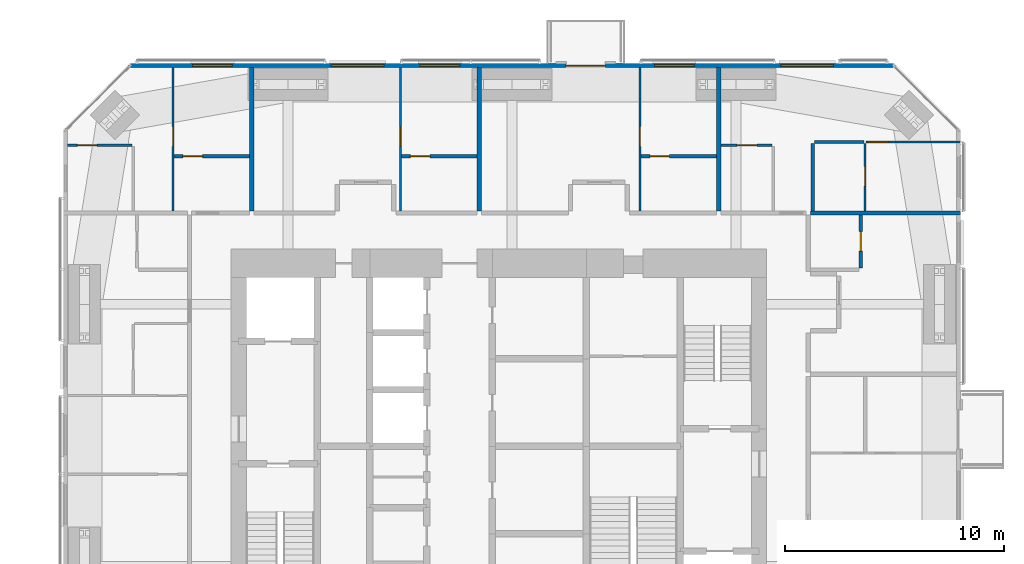
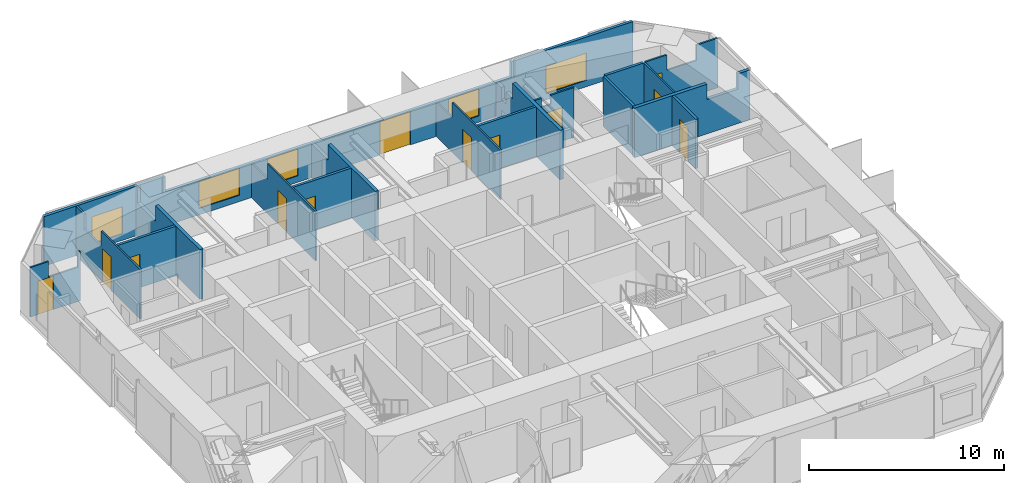
# One storey, part 21 of 23: 18 walls, 12 doors, 5 windows, 17 openings.
"""IFC4 building model written with IfcOpenShell, lengths in metres."""

from ifc_helpers import new_model, si_unit, direction, frame, frame_2d, origin, place, context, subcontext, project, spatial, polyline, rectangle, outline, extrude, material, constituent, constituent_set, type_object, element, fill, save


model = new_model("IFC4")

# Units and contexts
model_context = context("Model", 3, precision=1e-05, world=origin(), true_north=direction((0.0, 1.0)))
body_context = subcontext(model_context, "Body", "Model", "MODEL_VIEW")
ifc_project = project(units=[si_unit("LENGTHUNIT", "METRE"), si_unit("AREAUNIT", "SQUARE_METRE"), si_unit("VOLUMEUNIT", "CUBIC_METRE"), si_unit("PLANEANGLEUNIT", "RADIAN"), si_unit("MASSUNIT", "GRAM", prefix="KILO")], contexts=[model_context])

# Site, building, storey
site_placement = place(None, origin())
site = spatial("IfcSite", under=ifc_project, at=site_placement, CompositionType="ELEMENT")
building_placement = place(site_placement, origin())
building = spatial("IfcBuilding", under=site, at=building_placement, Name="Jalousie Tower", CompositionType="ELEMENT")
storey_placement = place(building_placement, frame((0.0, 0.0, 184.5)))
storey = spatial("IfcBuildingStorey", under=building, at=storey_placement, Name="L50", CompositionType="ELEMENT", Elevation=184.5)

# Wall, opening, door
ifc_material_1 = material(Name="Concrete block ASTM C90", Category="concrete")
ifc_constituent_1 = constituent(ifc_material_1, Name="Body")
ifc_material_2 = material(Name="Render")
ifc_constituent_2 = constituent(ifc_material_2, Name="Finish")
ifc_constituent_set_1 = constituent_set(constituents=[ifc_constituent_1, ifc_constituent_2])
wall_type_1 = type_object("IfcWallType", Name="BATHROOM WALL 150", PredefinedType="PLUMBINGWALL", material=ifc_constituent_set_1)
wall_1_placement = place(storey_placement, frame((17.050048828125, 31.77490234375, 0.0), z_axis=(0.0, 0.0, 1.0), x_axis=(1.0, 0.0, 0.0)))
wall_1 = element("IfcWall", 1, at=wall_1_placement, inside=storey, type_object=wall_type_1, Name="Bathroom Wall 150 L50", PredefinedType="PLUMBINGWALL", context=body_context, shape_type="SweptSolid", body=[
    extrude(rectangle(XDim=3.449951171875, YDim=0.14990234375, at=frame_2d((1.72509765625, 0.0))), origin(), (0.0, 0.0, 1.0), 3.110107421875),
])
opening_1_placement = place(wall_1_placement, frame((0.39990234375, 0.0, 0.0)))
opening_1 = element("IfcOpeningElement", 2, at=opening_1_placement, cuts=wall_1, Name="Opening D3", PredefinedType="OPENING", context=body_context, shape_type="SweptSolid", body=[
    extrude(rectangle(XDim=0.89990234375, YDim=2.10009765625, at=frame_2d((0.449951171875, 1.050048828125))), frame((0.0, 0.0849609375, 0.0), z_axis=(0.0, -1.0, 0.0), x_axis=(1.0, 0.0, 0.0)), (0.0, 0.0, 1.0), 0.169921875),
])
ifc_material_3 = material(Name="Timber door", Category="wood")
door_type_1 = type_object("IfcDoorType", Name="BATHROOM DOOR 900", OperationType="SINGLE_SWING_LEFT", PredefinedType="DOOR", material=ifc_material_3)
door_1_placement = place(opening_1_placement, frame((0.89990234375, 0.0, 0.0), z_axis=(0.0, 0.0, 1.0), x_axis=(-1.0, 0.0, 0.0)))
door_1 = element("IfcDoor", 3, at=door_1_placement, inside=storey, type_object=door_type_1, Name="Apartment 5004 bedroom 1 bathroom door", OperationType="SINGLE_SWING_RIGHT", OverallHeight=2.10009765625, OverallWidth=0.89990234375, PredefinedType="DOOR", context=body_context, shape_type="SweptSolid", body=[
    extrude(rectangle(XDim=0.89990234375, YDim=2.10009765625, at=frame_2d((0.449951171875, 1.050048828125))), frame((0.0, 0.02490234375, 0.0), z_axis=(0.0, -1.0, 0.0), x_axis=(1.0, 0.0, 0.0)), (0.0, 0.0, 1.0), 0.050048828125),
])
fill(opening_1, door_1)

wall_2_placement = place(storey_placement, frame((27.449951171875, 31.77490234375, 0.0), z_axis=(0.0, 0.0, 1.0), x_axis=(1.0, 0.0, 0.0)))
wall_2 = element("IfcWall", 4, at=wall_2_placement, inside=storey, type_object=wall_type_1, Name="Bathroom Wall 150 L50", PredefinedType="PLUMBINGWALL", context=body_context, shape_type="SweptSolid", body=[
    extrude(rectangle(XDim=3.449951171875, YDim=0.14990234375, at=frame_2d((1.72509765625, 0.0))), origin(), (0.0, 0.0, 1.0), 3.110107421875),
])
opening_2_placement = place(wall_2_placement, frame((0.39990234375, 0.0, 0.0)))
opening_2 = element("IfcOpeningElement", 5, at=opening_2_placement, cuts=wall_2, Name="Opening D3", PredefinedType="OPENING", context=body_context, shape_type="SweptSolid", body=[
    extrude(rectangle(XDim=0.89990234375, YDim=2.10009765625, at=frame_2d((0.449951171875, 1.050048828125))), frame((0.0, 0.0849609375, 0.0), z_axis=(0.0, -1.0, 0.0), x_axis=(1.0, 0.0, 0.0)), (0.0, 0.0, 1.0), 0.169921875),
])
door_2_placement = place(opening_2_placement, frame((0.89990234375, 0.0, 0.0), z_axis=(0.0, 0.0, 1.0), x_axis=(-1.0, 0.0, 0.0)))
door_2 = element("IfcDoor", 6, at=door_2_placement, inside=storey, type_object=door_type_1, Name="Apartment 5005 bedroom 1 bathroom door", OperationType="SINGLE_SWING_RIGHT", OverallHeight=2.10009765625, OverallWidth=0.89990234375, PredefinedType="DOOR", context=body_context, shape_type="SweptSolid", body=[
    extrude(rectangle(XDim=0.89990234375, YDim=2.10009765625, at=frame_2d((0.449951171875, 1.050048828125))), frame((0.0, 0.02490234375, 0.0), z_axis=(0.0, -1.0, 0.0), x_axis=(1.0, 0.0, 0.0)), (0.0, 0.0, 1.0), 0.050048828125),
])
fill(opening_2, door_2)

wall_3_placement = place(storey_placement, frame((38.39990234375, 31.77490234375, 0.0), z_axis=(0.0, 0.0, 1.0), x_axis=(1.0, 0.0, 0.0)))
wall_3 = element("IfcWall", 7, at=wall_3_placement, inside=storey, type_object=wall_type_1, Name="Bathroom Wall 150 L50", PredefinedType="PLUMBINGWALL", context=body_context, shape_type="SweptSolid", body=[
    extrude(rectangle(XDim=3.4501953125, YDim=0.14990234375, at=frame_2d((1.72509765625, 0.0))), origin(), (0.0, 0.0, 1.0), 3.110107421875),
])
opening_3_placement = place(wall_3_placement, frame((0.39990234375, 0.0, 0.0)))
opening_3 = element("IfcOpeningElement", 8, at=opening_3_placement, cuts=wall_3, Name="Opening D3", PredefinedType="OPENING", context=body_context, shape_type="SweptSolid", body=[
    extrude(rectangle(XDim=0.89990234375, YDim=2.10009765625, at=frame_2d((0.449951171875, 1.050048828125))), frame((0.0, 0.0849609375, 0.0), z_axis=(0.0, -1.0, 0.0), x_axis=(1.0, 0.0, 0.0)), (0.0, 0.0, 1.0), 0.169921875),
])
door_3_placement = place(opening_3_placement, frame((0.89990234375, 0.0, 0.0), z_axis=(0.0, 0.0, 1.0), x_axis=(-1.0, 0.0, 0.0)))
door_3 = element("IfcDoor", 9, at=door_3_placement, inside=storey, type_object=door_type_1, Name="Apartment 5006 bedroom 1 bathroom door", OperationType="SINGLE_SWING_RIGHT", OverallHeight=2.10009765625, OverallWidth=0.89990234375, PredefinedType="DOOR", context=body_context, shape_type="SweptSolid", body=[
    extrude(rectangle(XDim=0.89990234375, YDim=2.10009765625, at=frame_2d((0.449951171875, 1.050048828125))), frame((0.0, 0.02490234375, 0.0), z_axis=(0.0, -1.0, 0.0), x_axis=(1.0, 0.0, 0.0)), (0.0, 0.0, 1.0), 0.050048828125),
])
fill(opening_3, door_3)

# Walls
wall_4_placement = place(storey_placement, frame((46.324951171875, 32.420166015625, 0.0), z_axis=(0.0, 0.0, 1.0), x_axis=(1.0, 0.0, 0.0)))
element("IfcWall", 10, at=wall_4_placement, inside=storey, type_object=wall_type_1, Name="Bathroom Wall 150 L50", PredefinedType="PLUMBINGWALL", context=body_context, shape_type="SweptSolid", body=[
    extrude(rectangle(XDim=2.275146484375, YDim=0.14990234375, at=frame_2d((1.1376953125, 0.0))), origin(), (0.0, 0.0, 1.0), 3.110107421875),
])
wall_5_placement = place(storey_placement, frame((46.25, 32.34521484375, 0.0), z_axis=(0.0, 0.0, 1.0), x_axis=(0.0, -1.0, 0.0)))
element("IfcWall", 11, at=wall_5_placement, inside=storey, type_object=wall_type_1, Name="Bathroom Wall 150 L50", PredefinedType="PLUMBINGWALL", context=body_context, shape_type="SweptSolid", body=[
    extrude(rectangle(XDim=3.0703125, YDim=0.14990234375, at=frame_2d((1.53515625, 0.0))), origin(), (0.0, 0.0, 1.0), 3.110107421875),
])

# Wall, opening, door
wall_6_placement = place(storey_placement, frame((48.449951171875, 26.64990234375, 0.0), z_axis=(0.0, 0.0, 1.0), x_axis=(0.0, 1.0, 0.0)))
wall_6 = element("IfcWall", 12, at=wall_6_placement, inside=storey, type_object=wall_type_1, Name="Bathroom Wall 150 L50", PredefinedType="PLUMBINGWALL", context=body_context, shape_type="SweptSolid", body=[
    extrude(rectangle(XDim=2.425048828125, YDim=0.14990234375, at=frame_2d((1.21240234375, 0.0))), origin(), (0.0, 0.0, 1.0), 3.110107421875),
])
opening_4_placement = place(wall_6_placement, frame((0.77490234375, 0.0, 0.0)))
opening_4 = element("IfcOpeningElement", 13, at=opening_4_placement, cuts=wall_6, Name="Opening D3", PredefinedType="OPENING", context=body_context, shape_type="SweptSolid", body=[
    extrude(rectangle(XDim=0.89990234375, YDim=2.10009765625, at=frame_2d((0.449951171875, 1.050048828125))), frame((0.0, 0.0849609375, 0.0), z_axis=(0.0, -1.0, 0.0), x_axis=(1.0, 0.0, 0.0)), (0.0, 0.0, 1.0), 0.169921875),
])
door_4_placement = place(opening_4_placement, origin())
door_4 = element("IfcDoor", 14, at=door_4_placement, inside=storey, type_object=door_type_1, Name="Apartment 5010 bathroom door", OperationType="SINGLE_SWING_RIGHT", OverallHeight=2.10009765625, OverallWidth=0.89990234375, PredefinedType="DOOR", context=body_context, shape_type="SweptSolid", body=[
    extrude(rectangle(XDim=0.89990234375, YDim=2.10009765625, at=frame_2d((0.449951171875, 1.050048828125))), frame((0.0, 0.02490234375, 0.0), z_axis=(0.0, -1.0, 0.0), x_axis=(1.0, 0.0, 0.0)), (0.0, 0.0, 1.0), 0.050048828125),
])
fill(opening_4, door_4)

# Wall, openings, door, windows
ifc_material_4 = material(Name="Concrete f'c 40 MPa", Category="concrete")
ifc_constituent_3 = constituent(ifc_material_4, Name="Body")
ifc_material_5 = material(Name="Render, pastel lemon")
ifc_constituent_4 = constituent(ifc_material_5, Name="Finish")
ifc_constituent_set_2 = constituent_set(constituents=[ifc_constituent_3, ifc_constituent_4])
wall_type_2 = type_object("IfcWallType", Name="EXTERNAL WALL 175 LEMON RENDER", PredefinedType="SOLIDWALL", material=ifc_constituent_set_2)
wall_7_placement = place(storey_placement, frame((49.94873046875, 35.91259765625, 0.0), z_axis=(0.0, 0.0, 1.0), x_axis=(-1.0, 0.0, 0.0)))
wall_7 = element("IfcWall", 15, at=wall_7_placement, inside=storey, type_object=wall_type_2, Name="External Wall 175 Lemon Render L50", PredefinedType="SOLIDWALL", context=body_context, shape_type="SweptSolid", body=[
    extrude(outline(polyline([(0.0, 0.0), (34.8974609375, 0.0), (34.8974609375, 3.110107421875), (27.91015625, 3.110107421875), (27.91015625, 2.14990234375), (27.8359375, 2.14990234375), (27.8359375, 3.110107421875), (27.69873046875, 3.110107421875), (27.69873046875, 2.14990234375), (7.19873046875, 2.14990234375), (7.19873046875, 3.110107421875), (7.0615234375, 3.110107421875), (7.0615234375, 2.14990234375), (6.9873046875, 2.14990234375), (6.9873046875, 3.110107421875), (0.0, 3.110107421875), (0.0, 0.0)])), frame((0.0, 0.08740234375, 0.0), z_axis=(0.0, -1.0, 0.0), x_axis=(1.0, 0.0, 0.0)), (0.0, 0.0, 1.0), 0.175048828125),
])
opening_5_placement = place(wall_7_placement, frame((2.74951171875, 0.0, 0.39990234375)))
opening_5 = element("IfcOpeningElement", 16, at=opening_5_placement, cuts=wall_7, Name="Opening W-LIV170", PredefinedType="OPENING", context=body_context, shape_type="SweptSolid", body=[
    extrude(rectangle(XDim=2.39990234375, YDim=1.699951171875, at=frame_2d((1.199951171875, 0.85009765625))), frame((0.0, 0.097412109375, 0.0), z_axis=(0.0, -1.0, 0.0), x_axis=(1.0, 0.0, 0.0)), (0.0, 0.0, 1.0), 0.195068359375),
])
opening_6_placement = place(wall_7_placement, frame((9.123779296875, 0.0, 0.39990234375)))
opening_6 = element("IfcOpeningElement", 17, at=opening_6_placement, cuts=wall_7, Name="Opening W-BED170", PredefinedType="OPENING", context=body_context, shape_type="SweptSolid", body=[
    extrude(rectangle(XDim=1.800048828125, YDim=1.699951171875, at=frame_2d((0.89990234375, 0.85009765625))), frame((0.0, 0.097412109375, 0.0), z_axis=(0.0, -1.0, 0.0), x_axis=(1.0, 0.0, 0.0)), (0.0, 0.0, 1.0), 0.195068359375),
])
opening_7_placement = place(wall_7_placement, frame((13.173583984375, 0.0, 0.0)))
opening_7 = element("IfcOpeningElement", 18, at=opening_7_placement, cuts=wall_7, Name="Opening D-BAL21", PredefinedType="OPENING", context=body_context, shape_type="SweptSolid", body=[
    extrude(rectangle(XDim=1.800048828125, YDim=2.10009765625, at=frame_2d((0.89990234375, 1.050048828125))), frame((0.0, 0.097412109375, 0.0), z_axis=(0.0, -1.0, 0.0), x_axis=(1.0, 0.0, 0.0)), (0.0, 0.0, 1.0), 0.195068359375),
])
opening_8_placement = place(wall_7_placement, frame((19.8486328125, 0.0, 0.39990234375)))
opening_8 = element("IfcOpeningElement", 19, at=opening_8_placement, cuts=wall_7, Name="Opening W-BED170", PredefinedType="OPENING", context=body_context, shape_type="SweptSolid", body=[
    extrude(rectangle(XDim=1.800048828125, YDim=1.699951171875, at=frame_2d((0.89990234375, 0.85009765625))), frame((0.0, 0.097412109375, 0.0), z_axis=(0.0, -1.0, 0.0), x_axis=(1.0, 0.0, 0.0)), (0.0, 0.0, 1.0), 0.195068359375),
])
opening_9_placement = place(wall_7_placement, frame((23.3037109375, 0.0, 0.39990234375)))
opening_9 = element("IfcOpeningElement", 20, at=opening_9_placement, cuts=wall_7, Name="Opening W-LIV170", PredefinedType="OPENING", context=body_context, shape_type="SweptSolid", body=[
    extrude(rectangle(XDim=2.39990234375, YDim=1.699951171875, at=frame_2d((1.199951171875, 0.85009765625))), frame((0.0, 0.097412109375, 0.0), z_axis=(0.0, -1.0, 0.0), x_axis=(1.0, 0.0, 0.0)), (0.0, 0.0, 1.0), 0.195068359375),
])
opening_10_placement = place(wall_7_placement, frame((30.248779296875, 0.0, 0.39990234375)))
opening_10 = element("IfcOpeningElement", 21, at=opening_10_placement, cuts=wall_7, Name="Opening W-BED170", PredefinedType="OPENING", context=body_context, shape_type="SweptSolid", body=[
    extrude(rectangle(XDim=1.800048828125, YDim=1.699951171875, at=frame_2d((0.89990234375, 0.85009765625))), frame((0.0, 0.097412109375, 0.0), z_axis=(0.0, -1.0, 0.0), x_axis=(1.0, 0.0, 0.0)), (0.0, 0.0, 1.0), 0.195068359375),
])
ifc_material_6 = material(Name="Aluminium frame, impact-rated glazing", Category="aluminium")
door_type_2 = type_object("IfcDoorType", Name="BALCONY DOOR 1800x2100", OperationType="SLIDING_TO_LEFT", PredefinedType="DOOR", material=ifc_material_6)
door_5_placement = place(opening_7_placement, origin())
door_5 = element("IfcDoor", 22, at=door_5_placement, inside=storey, type_object=door_type_2, Name="Apartment 5006 living, dining and kitchen balcony door", OperationType="SLIDING_TO_LEFT", OverallHeight=2.10009765625, OverallWidth=1.800048828125, PredefinedType="DOOR", context=body_context, shape_type="SweptSolid", body=[
    extrude(rectangle(XDim=1.800048828125, YDim=2.10009765625, at=frame_2d((0.89990234375, 1.050048828125))), frame((0.0, 0.02490234375, 0.0), z_axis=(0.0, -1.0, 0.0), x_axis=(1.0, 0.0, 0.0)), (0.0, 0.0, 1.0), 0.050048828125),
])
fill(opening_7, door_5)
ifc_material_7 = material(Name="Aluminium frame, impact-rated glazing", Category="aluminium")
window_type_1 = type_object("IfcWindowType", Name="WINDOW BED 1800x1700", PartitioningType="SINGLE_PANEL", PredefinedType="WINDOW", material=ifc_material_7)
window_1_placement = place(opening_6_placement, origin())
window_1 = element("IfcWindow", 23, at=window_1_placement, inside=storey, type_object=window_type_1, Name="Apartment 5006 bedroom 1 window", OverallHeight=1.699951171875, OverallWidth=1.800048828125, PartitioningType="SINGLE_PANEL", PredefinedType="WINDOW", context=body_context, shape_type="SweptSolid", body=[
    extrude(rectangle(XDim=1.800048828125, YDim=1.699951171875, at=frame_2d((0.89990234375, 0.85009765625))), frame((0.0, 0.030029296875, 0.0), z_axis=(0.0, -1.0, 0.0), x_axis=(1.0, 0.0, 0.0)), (0.0, 0.0, 1.0), 0.06005859375),
])
fill(opening_6, window_1)
window_2_placement = place(opening_8_placement, origin())
window_2 = element("IfcWindow", 24, at=window_2_placement, inside=storey, type_object=window_type_1, Name="Apartment 5005 bedroom 1 window", OverallHeight=1.699951171875, OverallWidth=1.800048828125, PartitioningType="SINGLE_PANEL", PredefinedType="WINDOW", context=body_context, shape_type="SweptSolid", body=[
    extrude(rectangle(XDim=1.800048828125, YDim=1.699951171875, at=frame_2d((0.89990234375, 0.85009765625))), frame((0.0, 0.030029296875, 0.0), z_axis=(0.0, -1.0, 0.0), x_axis=(1.0, 0.0, 0.0)), (0.0, 0.0, 1.0), 0.06005859375),
])
fill(opening_8, window_2)
window_3_placement = place(opening_10_placement, origin())
window_3 = element("IfcWindow", 25, at=window_3_placement, inside=storey, type_object=window_type_1, Name="Apartment 5004 bedroom 1 window", OverallHeight=1.699951171875, OverallWidth=1.800048828125, PartitioningType="SINGLE_PANEL", PredefinedType="WINDOW", context=body_context, shape_type="SweptSolid", body=[
    extrude(rectangle(XDim=1.800048828125, YDim=1.699951171875, at=frame_2d((0.89990234375, 0.85009765625))), frame((0.0, 0.030029296875, 0.0), z_axis=(0.0, -1.0, 0.0), x_axis=(1.0, 0.0, 0.0)), (0.0, 0.0, 1.0), 0.06005859375),
])
fill(opening_10, window_3)
ifc_material_8 = material(Name="Aluminium frame, impact-rated glazing", Category="aluminium")
window_type_2 = type_object("IfcWindowType", Name="WINDOW LIV 2400x1700", PartitioningType="DOUBLE_PANEL_VERTICAL", PredefinedType="WINDOW", material=ifc_material_8)
window_4_placement = place(opening_5_placement, origin())
window_4 = element("IfcWindow", 26, at=window_4_placement, inside=storey, type_object=window_type_2, Name="Apartment 5007 living and dining room window", OverallHeight=1.699951171875, OverallWidth=2.39990234375, PartitioningType="SINGLE_PANEL", PredefinedType="WINDOW", context=body_context, shape_type="SweptSolid", body=[
    extrude(rectangle(XDim=2.39990234375, YDim=1.699951171875, at=frame_2d((1.199951171875, 0.85009765625))), frame((0.0, 0.030029296875, 0.0), z_axis=(0.0, -1.0, 0.0), x_axis=(1.0, 0.0, 0.0)), (0.0, 0.0, 1.0), 0.06005859375),
])
fill(opening_5, window_4)
window_5_placement = place(opening_9_placement, origin())
window_5 = element("IfcWindow", 27, at=window_5_placement, inside=storey, type_object=window_type_2, Name="Apartment 5005 living, dining and kitchen window", OverallHeight=1.699951171875, OverallWidth=2.39990234375, PartitioningType="SINGLE_PANEL", PredefinedType="WINDOW", context=body_context, shape_type="SweptSolid", body=[
    extrude(rectangle(XDim=2.39990234375, YDim=1.699951171875, at=frame_2d((1.199951171875, 0.85009765625))), frame((0.0, 0.030029296875, 0.0), z_axis=(0.0, -1.0, 0.0), x_axis=(1.0, 0.0, 0.0)), (0.0, 0.0, 1.0), 0.06005859375),
])
fill(opening_9, window_5)

# Wall, opening, door
ifc_material_9 = material(Name="Gypsum board", Category="gypsum")
ifc_constituent_5 = constituent(ifc_material_9, Name="Body")
ifc_material_10 = material(Name="Light-gauge steel studs ASTM A653 SS Grade 33", Category="steel")
ifc_constituent_6 = constituent(ifc_material_10, Name="Framing")
ifc_constituent_set_3 = constituent_set(constituents=[ifc_constituent_5, ifc_constituent_6])
wall_type_3 = type_object("IfcWallType", Name="PARTITION 100", PredefinedType="PARTITIONING", material=ifc_constituent_set_3)
wall_8_placement = place(storey_placement, frame((17.0, 35.824951171875, 0.0), z_axis=(0.0, 0.0, 1.0), x_axis=(0.0, -1.0, 0.0)))
wall_8 = element("IfcWall", 28, at=wall_8_placement, inside=storey, type_object=wall_type_3, Name="Partition 100 L50", PredefinedType="PARTITIONING", context=body_context, shape_type="SweptSolid", body=[
    extrude(outline(polyline([(0.0, 0.0), (6.550048828125, 0.0), (6.550048828125, 3.110107421875), (2.57763671875, 3.110107421875), (2.57763671875, 2.14990234375), (0.830810546875, 2.14990234375), (0.830810546875, 3.110107421875), (0.0, 3.110107421875), (0.0, 0.0)])), frame((0.0, 0.050048828125, 0.0), z_axis=(0.0, -1.0, 0.0), x_axis=(1.0, 0.0, 0.0)), (0.0, 0.0, 1.0), 0.10009765625),
])
opening_11_placement = place(wall_8_placement, frame((2.699951171875, 0.0, 0.0)))
opening_11 = element("IfcOpeningElement", 29, at=opening_11_placement, cuts=wall_8, Name="Opening D2", PredefinedType="OPENING", context=body_context, shape_type="SweptSolid", body=[
    extrude(rectangle(XDim=0.89990234375, YDim=2.10009765625, at=frame_2d((0.449951171875, 1.050048828125))), frame((0.0, 0.06005859375, 0.0), z_axis=(0.0, -1.0, 0.0), x_axis=(1.0, 0.0, 0.0)), (0.0, 0.0, 1.0), 0.1201171875),
])
ifc_material_11 = material(Name="Timber door", Category="wood")
door_type_3 = type_object("IfcDoorType", Name="BEDROOM DOOR 900", OperationType="SINGLE_SWING_LEFT", PredefinedType="DOOR", material=ifc_material_11)
door_6_placement = place(opening_11_placement, origin())
door_6 = element("IfcDoor", 30, at=door_6_placement, inside=storey, type_object=door_type_3, Name="Apartment 5004 bedroom 1 door", OperationType="SINGLE_SWING_RIGHT", OverallHeight=2.10009765625, OverallWidth=0.89990234375, PredefinedType="DOOR", context=body_context, shape_type="SweptSolid", body=[
    extrude(rectangle(XDim=0.89990234375, YDim=2.10009765625, at=frame_2d((0.449951171875, 1.050048828125))), frame((0.0, 0.02490234375, 0.0), z_axis=(0.0, -1.0, 0.0), x_axis=(1.0, 0.0, 0.0)), (0.0, 0.0, 1.0), 0.050048828125),
])
fill(opening_11, door_6)

wall_9_placement = place(storey_placement, frame((12.175048828125, 32.27490234375, 0.0), z_axis=(0.0, 0.0, 1.0), x_axis=(1.0, 0.0, 0.0)))
wall_9 = element("IfcWall", 31, at=wall_9_placement, inside=storey, type_object=wall_type_3, Name="Partition 100 L50", PredefinedType="PARTITIONING", context=body_context, shape_type="SweptSolid", body=[
    extrude(outline(polyline([(0.0, 0.0), (2.949951171875, 0.0), (2.949951171875, 3.110107421875), (2.822265625, 3.110107421875), (2.822265625, 2.14990234375), (1.079833984375, 2.14990234375), (1.079833984375, 3.110107421875), (0.0, 3.110107421875), (0.0, 0.0)])), frame((0.0, 0.050048828125, 0.0), z_axis=(0.0, -1.0, 0.0), x_axis=(1.0, 0.0, 0.0)), (0.0, 0.0, 1.0), 0.10009765625),
])
opening_12_placement = place(wall_9_placement, frame((0.449951171875, 0.0, 0.0)))
opening_12 = element("IfcOpeningElement", 32, at=opening_12_placement, cuts=wall_9, Name="Opening D7", PredefinedType="OPENING", context=body_context, shape_type="SweptSolid", body=[
    extrude(rectangle(XDim=0.89990234375, YDim=2.10009765625, at=frame_2d((0.449951171875, 1.050048828125))), frame((0.0, 0.06005859375, 0.0), z_axis=(0.0, -1.0, 0.0), x_axis=(1.0, 0.0, 0.0)), (0.0, 0.0, 1.0), 0.1201171875),
])
ifc_material_12 = material(Name="Timber door", Category="wood")
door_type_4 = type_object("IfcDoorType", Name="INTERNAL DOOR 900", OperationType="SINGLE_SWING_LEFT", PredefinedType="DOOR", material=ifc_material_12)
door_7_placement = place(opening_12_placement, frame((0.89990234375, 0.0, 0.0), z_axis=(0.0, 0.0, 1.0), x_axis=(-1.0, 0.0, 0.0)))
door_7 = element("IfcDoor", 33, at=door_7_placement, inside=storey, type_object=door_type_4, Name="Apartment 5004 kitchen door", OperationType="SINGLE_SWING_RIGHT", OverallHeight=2.10009765625, OverallWidth=0.89990234375, PredefinedType="DOOR", context=body_context, shape_type="SweptSolid", body=[
    extrude(rectangle(XDim=0.89990234375, YDim=2.10009765625, at=frame_2d((0.449951171875, 1.050048828125))), frame((0.0, 0.02490234375, 0.0), z_axis=(0.0, -1.0, 0.0), x_axis=(1.0, 0.0, 0.0)), (0.0, 0.0, 1.0), 0.050048828125),
])
fill(opening_12, door_7)

wall_10_placement = place(storey_placement, frame((27.39990234375, 35.824951171875, 0.0), z_axis=(0.0, 0.0, 1.0), x_axis=(0.0, -1.0, 0.0)))
wall_10 = element("IfcWall", 34, at=wall_10_placement, inside=storey, type_object=wall_type_3, Name="Partition 100 L50", PredefinedType="PARTITIONING", context=body_context, shape_type="SweptSolid", body=[
    extrude(outline(polyline([(0.0, 0.0), (6.550048828125, 0.0), (6.550048828125, 3.110107421875), (1.635009765625, 3.110107421875), (1.635009765625, 2.14990234375), (0.0, 2.14990234375), (0.0, 3.110107421875), (0.0, 0.0)])), frame((0.0, 0.050048828125, 0.0), z_axis=(0.0, -1.0, 0.0), x_axis=(1.0, 0.0, 0.0)), (0.0, 0.0, 1.0), 0.10009765625),
])
opening_13_placement = place(wall_10_placement, frame((2.699951171875, 0.0, 0.0)))
opening_13 = element("IfcOpeningElement", 35, at=opening_13_placement, cuts=wall_10, Name="Opening D2", PredefinedType="OPENING", context=body_context, shape_type="SweptSolid", body=[
    extrude(rectangle(XDim=0.89990234375, YDim=2.10009765625, at=frame_2d((0.449951171875, 1.050048828125))), frame((0.0, 0.06005859375, 0.0), z_axis=(0.0, -1.0, 0.0), x_axis=(1.0, 0.0, 0.0)), (0.0, 0.0, 1.0), 0.1201171875),
])
door_8_placement = place(opening_13_placement, origin())
door_8 = element("IfcDoor", 36, at=door_8_placement, inside=storey, type_object=door_type_3, Name="Apartment 5005 bedroom 1 door", OperationType="SINGLE_SWING_RIGHT", OverallHeight=2.10009765625, OverallWidth=0.89990234375, PredefinedType="DOOR", context=body_context, shape_type="SweptSolid", body=[
    extrude(rectangle(XDim=0.89990234375, YDim=2.10009765625, at=frame_2d((0.449951171875, 1.050048828125))), frame((0.0, 0.02490234375, 0.0), z_axis=(0.0, -1.0, 0.0), x_axis=(1.0, 0.0, 0.0)), (0.0, 0.0, 1.0), 0.050048828125),
])
fill(opening_13, door_8)

wall_11_placement = place(storey_placement, frame((38.35009765625, 35.824951171875, 0.0), z_axis=(0.0, 0.0, 1.0), x_axis=(0.0, -1.0, 0.0)))
wall_11 = element("IfcWall", 37, at=wall_11_placement, inside=storey, type_object=wall_type_3, Name="Partition 100 L50", PredefinedType="PARTITIONING", context=body_context, shape_type="SweptSolid", body=[
    extrude(outline(polyline([(0.0, 0.0), (6.550048828125, 0.0), (6.550048828125, 3.110107421875), (1.635009765625, 3.110107421875), (1.635009765625, 2.14990234375), (0.0, 2.14990234375), (0.0, 3.110107421875), (0.0, 0.0)])), frame((0.0, 0.050048828125, 0.0), z_axis=(0.0, -1.0, 0.0), x_axis=(1.0, 0.0, 0.0)), (0.0, 0.0, 1.0), 0.10009765625),
])
opening_14_placement = place(wall_11_placement, frame((2.699951171875, 0.0, 0.0)))
opening_14 = element("IfcOpeningElement", 38, at=opening_14_placement, cuts=wall_11, Name="Opening D2", PredefinedType="OPENING", context=body_context, shape_type="SweptSolid", body=[
    extrude(rectangle(XDim=0.89990234375, YDim=2.10009765625, at=frame_2d((0.449951171875, 1.050048828125))), frame((0.0, 0.06005859375, 0.0), z_axis=(0.0, -1.0, 0.0), x_axis=(1.0, 0.0, 0.0)), (0.0, 0.0, 1.0), 0.1201171875),
])
door_9_placement = place(opening_14_placement, origin())
door_9 = element("IfcDoor", 39, at=door_9_placement, inside=storey, type_object=door_type_3, Name="Apartment 5006 bedroom 1 door", OperationType="SINGLE_SWING_RIGHT", OverallHeight=2.10009765625, OverallWidth=0.89990234375, PredefinedType="DOOR", context=body_context, shape_type="SweptSolid", body=[
    extrude(rectangle(XDim=0.89990234375, YDim=2.10009765625, at=frame_2d((0.449951171875, 1.050048828125))), frame((0.0, 0.02490234375, 0.0), z_axis=(0.0, -1.0, 0.0), x_axis=(1.0, 0.0, 0.0)), (0.0, 0.0, 1.0), 0.050048828125),
])
fill(opening_14, door_9)

wall_12_placement = place(storey_placement, frame((48.64990234375, 32.34521484375, 0.0), z_axis=(0.0, 0.0, 1.0), x_axis=(0.0, -1.0, 0.0)))
wall_12 = element("IfcWall", 40, at=wall_12_placement, inside=storey, type_object=wall_type_3, Name="Partition 100 L50", PredefinedType="PARTITIONING", context=body_context, shape_type="SweptSolid", body=[
    extrude(rectangle(XDim=3.0703125, YDim=0.10009765625, at=frame_2d((1.53515625, 0.0))), origin(), (0.0, 0.0, 1.0), 3.110107421875),
])
opening_15_placement = place(wall_12_placement, frame((1.047607421875, 0.0, 0.0)))
opening_15 = element("IfcOpeningElement", 41, at=opening_15_placement, cuts=wall_12, Name="Opening D3", PredefinedType="OPENING", context=body_context, shape_type="SweptSolid", body=[
    extrude(rectangle(XDim=0.89990234375, YDim=2.10009765625, at=frame_2d((0.449951171875, 1.050048828125))), frame((0.0, 0.06005859375, 0.0), z_axis=(0.0, -1.0, 0.0), x_axis=(1.0, 0.0, 0.0)), (0.0, 0.0, 1.0), 0.1201171875),
])
door_10_placement = place(opening_15_placement, frame((0.89990234375, 0.0, 0.0), z_axis=(0.0, 0.0, 1.0), x_axis=(-1.0, 0.0, 0.0)))
door_10 = element("IfcDoor", 42, at=door_10_placement, inside=storey, type_object=door_type_1, Name="Apartment 5007 bedroom 1 bathroom door", OperationType="SINGLE_SWING_RIGHT", OverallHeight=2.10009765625, OverallWidth=0.89990234375, PredefinedType="DOOR", context=body_context, shape_type="SweptSolid", body=[
    extrude(rectangle(XDim=0.89990234375, YDim=2.10009765625, at=frame_2d((0.449951171875, 1.050048828125))), frame((0.0, 0.02490234375, 0.0), z_axis=(0.0, -1.0, 0.0), x_axis=(1.0, 0.0, 0.0)), (0.0, 0.0, 1.0), 0.050048828125),
])
fill(opening_15, door_10)

wall_13_placement = place(storey_placement, frame((48.699951171875, 32.420166015625, 0.0), z_axis=(0.0, 0.0, 1.0), x_axis=(1.0, 0.0, 0.0)))
wall_13 = element("IfcWall", 43, at=wall_13_placement, inside=storey, type_object=wall_type_3, Name="Partition 100 L50", PredefinedType="PARTITIONING", context=body_context, shape_type="SweptSolid", body=[
    extrude(outline(polyline([(0.0, 0.0), (4.300048828125, 0.0), (4.300048828125, 3.110107421875), (3.021728515625, 3.110107421875), (3.021728515625, 2.14990234375), (1.279296875, 2.14990234375), (1.279296875, 3.110107421875), (0.0, 3.110107421875), (0.0, 0.0)])), frame((0.0, 0.050048828125, 0.0), z_axis=(0.0, -1.0, 0.0), x_axis=(1.0, 0.0, 0.0)), (0.0, 0.0, 1.0), 0.10009765625),
])
opening_16_placement = place(wall_13_placement, frame((0.10009765625, 0.0, 0.0)))
opening_16 = element("IfcOpeningElement", 44, at=opening_16_placement, cuts=wall_13, Name="Opening D2", PredefinedType="OPENING", context=body_context, shape_type="SweptSolid", body=[
    extrude(rectangle(XDim=0.89990234375, YDim=2.10009765625, at=frame_2d((0.449951171875, 1.050048828125))), frame((0.0, 0.06005859375, 0.0), z_axis=(0.0, -1.0, 0.0), x_axis=(1.0, 0.0, 0.0)), (0.0, 0.0, 1.0), 0.1201171875),
])
door_11_placement = place(opening_16_placement, frame((0.89990234375, 0.0, 0.0), z_axis=(0.0, 0.0, 1.0), x_axis=(-1.0, 0.0, 0.0)))
door_11 = element("IfcDoor", 45, at=door_11_placement, inside=storey, type_object=door_type_3, Name="Apartment 5007 bedroom 1 door", OperationType="SINGLE_SWING_RIGHT", OverallHeight=2.10009765625, OverallWidth=0.89990234375, PredefinedType="DOOR", context=body_context, shape_type="SweptSolid", body=[
    extrude(rectangle(XDim=0.89990234375, YDim=2.10009765625, at=frame_2d((0.449951171875, 1.050048828125))), frame((0.0, 0.02490234375, 0.0), z_axis=(0.0, -1.0, 0.0), x_axis=(1.0, 0.0, 0.0)), (0.0, 0.0, 1.0), 0.050048828125),
])
fill(opening_16, door_11)

wall_14_placement = place(storey_placement, frame((42.050048828125, 32.27490234375, 0.0), z_axis=(0.0, 0.0, 1.0), x_axis=(1.0, 0.0, 0.0)))
wall_14 = element("IfcWall", 46, at=wall_14_placement, inside=storey, type_object=wall_type_3, Name="Partition 100 L50", PredefinedType="PARTITIONING", context=body_context, shape_type="SweptSolid", body=[
    extrude(outline(polyline([(0.0, 0.0), (2.349853515625, 0.0), (2.35009765625, 3.110107421875), (0.9873046875, 3.110107421875), (0.9873046875, 2.541015625), (0.41259765625, 2.541015625), (0.41259765625, 3.110107421875), (0.0, 3.110107421875), (0.0, 0.0)])), frame((0.0, 0.050048828125, 0.0), z_axis=(0.0, -1.0, 0.0), x_axis=(1.0, 0.0, 0.0)), (0.0, 0.0, 1.0), 0.10009765625),
])
opening_17_placement = place(wall_14_placement, frame((0.75, 0.0, 0.0)))
opening_17 = element("IfcOpeningElement", 47, at=opening_17_placement, cuts=wall_14, Name="Opening D7", PredefinedType="OPENING", context=body_context, shape_type="SweptSolid", body=[
    extrude(rectangle(XDim=0.89990234375, YDim=2.10009765625, at=frame_2d((0.449951171875, 1.050048828125))), frame((0.0, 0.06005859375, 0.0), z_axis=(0.0, -1.0, 0.0), x_axis=(1.0, 0.0, 0.0)), (0.0, 0.0, 1.0), 0.1201171875),
])
door_12_placement = place(opening_17_placement, origin())
door_12 = element("IfcDoor", 48, at=door_12_placement, inside=storey, type_object=door_type_4, Name="Apartment 5007 kitchen door", OperationType="SINGLE_SWING_LEFT", OverallHeight=2.10009765625, OverallWidth=0.89990234375, PredefinedType="DOOR", context=body_context, shape_type="SweptSolid", body=[
    extrude(rectangle(XDim=0.89990234375, YDim=2.10009765625, at=frame_2d((0.449951171875, 1.050048828125))), frame((0.0, 0.02490234375, 0.0), z_axis=(0.0, -1.0, 0.0), x_axis=(1.0, 0.0, 0.0)), (0.0, 0.0, 1.0), 0.050048828125),
])
fill(opening_17, door_12)

# Walls
ifc_material_13 = material(Name="Concrete block ASTM C90", Category="concrete")
ifc_constituent_7 = constituent(ifc_material_13, Name="Body")
ifc_material_14 = material(Name="Render")
ifc_constituent_8 = constituent(ifc_material_14, Name="Finish")
ifc_constituent_set_4 = constituent_set(constituents=[ifc_constituent_7, ifc_constituent_8])
wall_type_4 = type_object("IfcWallType", Name="PARTY WALL 200", PredefinedType="PARTITIONING", material=ifc_constituent_set_4)
wall_15_placement = place(storey_placement, frame((20.60009765625, 35.824951171875, 0.0), z_axis=(0.0, 0.0, 1.0), x_axis=(0.0, -1.0, 0.0)))
element("IfcWall", 49, at=wall_15_placement, inside=storey, type_object=wall_type_4, Name="Party Wall 200 L50", PredefinedType="PARTITIONING", context=body_context, shape_type="SweptSolid", body=[
    extrude(outline(polyline([(0.0, 0.0), (6.550048828125, 0.0), (6.550048828125, 3.110107421875), (1.9912109375, 3.110107421875), (1.9912109375, 2.14990234375), (0.142822265625, 2.14990234375), (0.142822265625, 3.110107421875), (0.0, 3.110107421875), (0.0, 0.0)])), frame((0.0, 0.10009765625, 0.0), z_axis=(0.0, -1.0, 0.0), x_axis=(1.0, 0.0, 0.0)), (0.0, 0.0, 1.0), 0.199951171875),
])
wall_16_placement = place(storey_placement, frame((31.0, 35.824951171875, 0.0), z_axis=(0.0, 0.0, 1.0), x_axis=(0.0, -1.0, 0.0)))
element("IfcWall", 50, at=wall_16_placement, inside=storey, type_object=wall_type_4, Name="Party Wall 200 L50", PredefinedType="PARTITIONING", context=body_context, shape_type="SweptSolid", body=[
    extrude(outline(polyline([(0.0, 0.0), (6.550048828125, 0.0), (6.550048828125, 3.110107421875), (1.68505859375, 3.110107421875), (1.68505859375, 2.14990234375), (0.0, 2.14990234375), (0.0, 3.110107421875), (0.0, 0.0)])), frame((0.0, 0.10009765625, 0.0), z_axis=(0.0, -1.0, 0.0), x_axis=(1.0, 0.0, 0.0)), (0.0, 0.0, 1.0), 0.199951171875),
])
wall_17_placement = place(storey_placement, frame((41.949951171875, 35.824951171875, 0.0), z_axis=(0.0, 0.0, 1.0), x_axis=(0.0, -1.0, 0.0)))
element("IfcWall", 51, at=wall_17_placement, inside=storey, type_object=wall_type_4, Name="Party Wall 200 L50", PredefinedType="PARTITIONING", context=body_context, shape_type="SweptSolid", body=[
    extrude(outline(polyline([(0.52880859375, 2.14990234375), (0.0, 2.14990234375), (0.0, 0.0), (0.52880859375, 0.0), (0.52880859375, 0.74609375), (1.021240234375, 0.74609375), (1.021240234375, 0.0), (6.550048828125, 0.0), (6.550048828125, 3.110107421875), (1.68505859375, 3.110107421875), (1.68505859375, 2.14990234375), (1.021240234375, 2.14990234375), (1.021240234375, 1.40380859375), (0.52880859375, 1.40380859375), (0.52880859375, 2.14990234375)])), frame((0.0, 0.10009765625, 0.0), z_axis=(0.0, -1.0, 0.0), x_axis=(1.0, 0.0, 0.0)), (0.0, 0.0, 1.0), 0.199951171875),
])
wall_18_placement = place(storey_placement, frame((46.14990234375, 29.175048828125, 0.0), z_axis=(0.0, 0.0, 1.0), x_axis=(1.0, 0.0, 0.0)))
element("IfcWall", 52, at=wall_18_placement, inside=storey, type_object=wall_type_4, Name="Party Wall 200 L50", PredefinedType="PARTITIONING", context=body_context, shape_type="SweptSolid", body=[
    extrude(outline(polyline([(0.0, 0.0), (6.85009765625, 0.0), (6.85009765625, 3.110107421875), (6.14697265625, 3.110107421875), (6.14697265625, 2.14990234375), (4.30322265625, 2.14990234375), (4.30322265625, 3.110107421875), (0.0, 3.110107421875), (0.0, 0.0)])), frame((0.0, 0.10009765625, 0.0), z_axis=(0.0, -1.0, 0.0), x_axis=(1.0, 0.0, 0.0)), (0.0, 0.0, 1.0), 0.199951171875),
])

save(model, "model.ifc")
